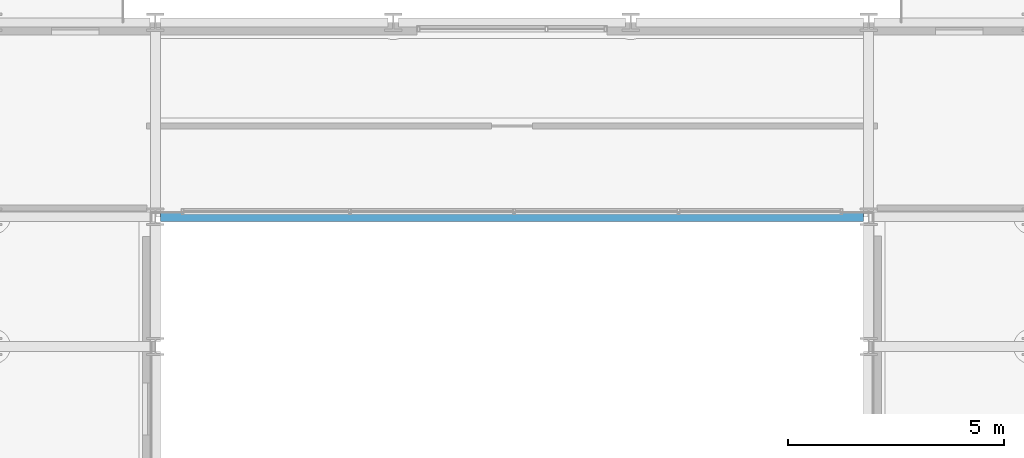
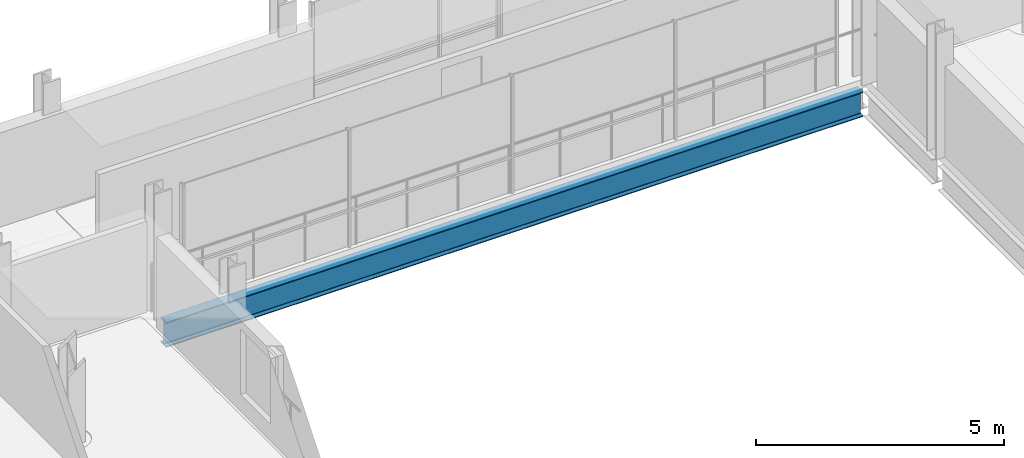
# One storey, part 12 of 38: 1 beam.
"""IFC4 building model written with IfcOpenShell, lengths in metres."""

from ifc_helpers import new_model, si_unit, direction, frame, origin, origin_2d, place, context, subcontext, project, spatial, i_section, extrude, material, material_profile, profile_set, type_object, element, save


model = new_model("IFC4")

# Units and contexts
model_context = context("Model", 3, precision=1e-05, world=origin(), true_north=direction((0.0, 1.0)))
body_context = subcontext(model_context, "Body", "Model", "MODEL_VIEW")
ifc_project = project(units=[si_unit("LENGTHUNIT", "METRE"), si_unit("AREAUNIT", "SQUARE_METRE"), si_unit("VOLUMEUNIT", "CUBIC_METRE"), si_unit("PLANEANGLEUNIT", "RADIAN"), si_unit("MASSUNIT", "GRAM", prefix="KILO")], contexts=[model_context])

# Site, building, storey
site_placement = place(None, origin())
site = spatial("IfcSite", under=ifc_project, at=site_placement, CompositionType="ELEMENT")
building_placement = place(site_placement, origin())
building = spatial("IfcBuilding", under=site, at=building_placement, Name="Brevholm Reach", CompositionType="ELEMENT")
storey_placement = place(building_placement, frame((0.0, 0.0, 141.800048828125)))
storey = spatial("IfcBuildingStorey", under=building, at=storey_placement, Name="L42", CompositionType="ELEMENT", Elevation=141.800048828125)

# Beam
ifc_material = material(Name="Structural Steel S355J2", Category="steel")
ifc_material_profile = material_profile(ifc_material, i_section(OverallWidth=0.22900390625, OverallDepth=0.6123046875, WebThickness=0.011962890625, FlangeThickness=0.01953125, FilletRadius=0.0126953125, at=origin_2d()), Name="UKB 610x229x125")
ifc_profile_set = profile_set([ifc_material_profile], Name="Structural Steel S355J2")
beam_type = type_object("IfcBeamType", Name="BM-SP610", PredefinedType="SPANDREL", material=ifc_profile_set)
beam_placement = place(storey_placement, frame((21.8701171875, 26.5, -0.526123046875), z_axis=(1.0, 0.0, 0.0), x_axis=(0.0, 1.0, 0.0)))
element("IfcBeam", 1, at=beam_placement, inside=storey, type_object=beam_type, Name="L42 SP-01 Framing Beam", PredefinedType="SPANDREL", context=body_context, shape_type="SweptSolid", body=[
    extrude(i_section(OverallWidth=0.22900390625, OverallDepth=0.6123046875, WebThickness=0.011962890625, FlangeThickness=0.01953125, FilletRadius=0.0126953125, at=origin_2d()), origin(), (0.0, 0.0, 1.0), 16.259765625),
])

save(model, "model.ifc")
